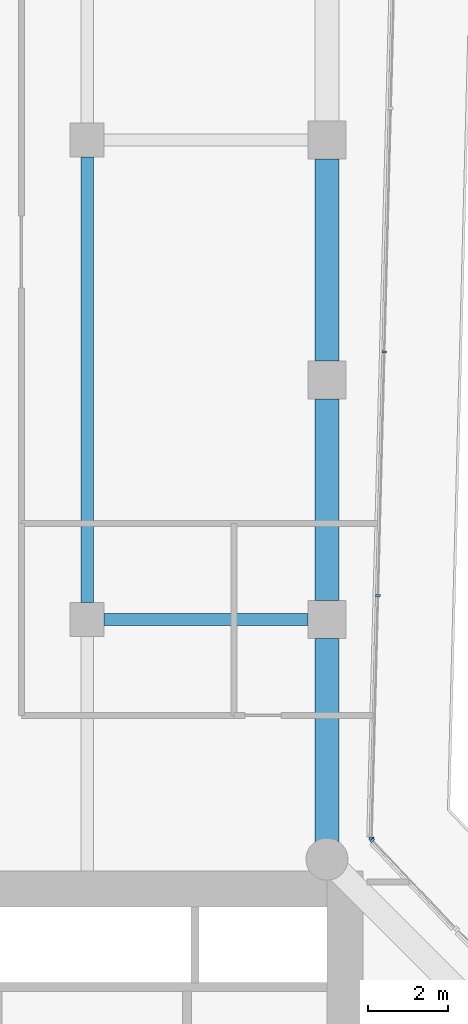
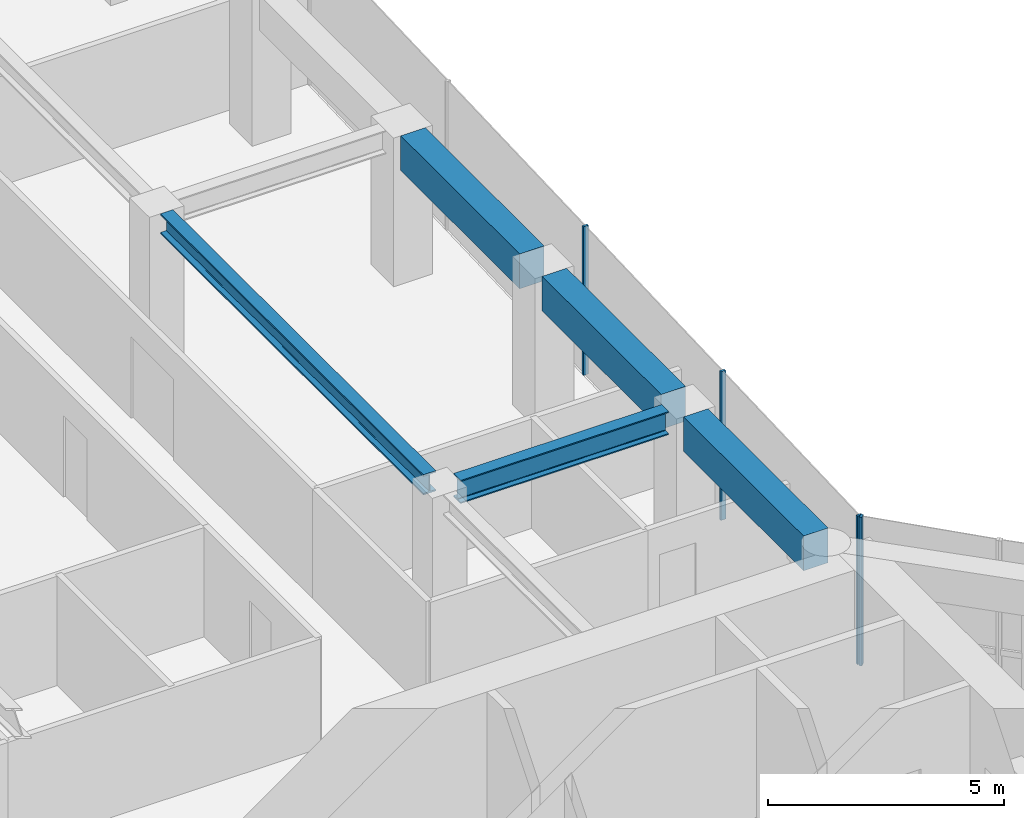
# One storey, part 14 of 28: 5 beams, 4 members, 2 elements without a shape of their own.
"""IFC4 building model written with IfcOpenShell, lengths in metres."""

import ifcopenshell
import ifcopenshell.guid

model = None  # the IFC model being written
_history = None  # IfcOwnerHistory: only IFC2X3 demands one
_inside = {}  # id of a spatial element -> (the spatial element, [elements in it])
_under = {}  # id of a project, library or spatial element -> (it, [spatial elements below it])
_declared = {}  # id of a project -> (the project, [libraries it declares])
_typed = {}  # id of a type object -> (the type object, [elements of that type])
_made_of = {}  # id of a material, layer set ... -> (it, [elements and type objects made of it])


def new_model(schema):
    """Start an empty IFC model of exactly this schema.

    Asked for "IFC4X3", IfcOpenShell would pick the latest addendum, in which some entities
    have other attributes; the version numbers below select the first issue.
    IFC2X3 requires an IfcOwnerHistory on every rooted entity: one is made here for all.
    """
    global model, _history
    if schema == "IFC4X3":
        model = ifcopenshell.file(schema_version=(4, 3, 0, 0))
    else:
        model = ifcopenshell.file(schema=schema)
    _inside.clear()
    _under.clear()
    _declared.clear()
    _typed.clear()
    _made_of.clear()
    _history = None
    if model.schema == "IFC2X3":
        org = make("IfcOrganization", Name="unknown")
        user = make(
            "IfcPersonAndOrganization",
            ThePerson=make("IfcPerson", FamilyName="unknown"),
            TheOrganization=org,
        )
        app = make(
            "IfcApplication",
            ApplicationDeveloper=org,
            Version="unknown",
            ApplicationFullName="unknown",
            ApplicationIdentifier="unknown",
        )
        _history = make(
            "IfcOwnerHistory",
            OwningUser=user,
            OwningApplication=app,
            ChangeAction="ADDED",
            CreationDate=0,
        )
    return model


def make(cls, **values):
    """One entity of the class cls with the attributes given. An attribute that is None is left unset."""
    return model.create_entity(
        cls, **{name: value for name, value in values.items() if value is not None}
    )


def rooted(cls, **values):
    """An entity with a GlobalId (a new one), such as an element, a storey or a relation."""
    return make(cls, GlobalId=ifcopenshell.guid.new(), OwnerHistory=_history, **values)


def si_unit(unit_type, name, prefix=None):
    """IfcSIUnit, for example si_unit("LENGTHUNIT", "METRE", prefix="MILLI")."""
    return make("IfcSIUnit", UnitType=unit_type, Prefix=prefix, Name=name)


def assignment(units):
    """IfcUnitAssignment: the units of a project."""
    return None if units is None else make("IfcUnitAssignment", Units=units)


def point(xyz):
    """IfcCartesianPoint."""
    return None if xyz is None else make("IfcCartesianPoint", Coordinates=xyz)


def direction(xyz):
    """IfcDirection."""
    return None if xyz is None else make("IfcDirection", DirectionRatios=xyz)


def frame(location, z_axis=None, x_axis=None):
    """IfcAxis2Placement3D, a coordinate frame: its origin and axes. An axis left out is left unset."""
    return make(
        "IfcAxis2Placement3D",
        Location=point(location),
        Axis=direction(z_axis),
        RefDirection=direction(x_axis),
    )


def frame_2d(location, x_axis=None):
    """IfcAxis2Placement2D, a coordinate frame in the plane: its origin and x axis."""
    return make(
        "IfcAxis2Placement2D", Location=point(location), RefDirection=direction(x_axis)
    )


def origin():
    """The frame at (0, 0, 0) with its axes left unset."""
    return frame((0.0, 0.0, 0.0))


def origin_2d():
    """The frame at (0, 0) in the plane with its x axis left unset."""
    return frame_2d((0.0, 0.0))


def place(relative_to, where):
    """IfcLocalPlacement: puts the frame where relative to a parent placement (None: the world)."""
    return make(
        "IfcLocalPlacement", PlacementRelTo=relative_to, RelativePlacement=where
    )


def context(
    kind, dimensions, precision=None, world=None, true_north=None, identifier=None
):
    """IfcGeometricRepresentationContext, for example the 3D "Model" context."""
    return make(
        "IfcGeometricRepresentationContext",
        ContextIdentifier=identifier,
        ContextType=kind,
        CoordinateSpaceDimension=dimensions,
        Precision=precision,
        WorldCoordinateSystem=world,
        TrueNorth=true_north,
    )


def subcontext(parent, identifier, kind, view, scale=None):
    """IfcGeometricRepresentationSubContext, for example "Body" below "Model"."""
    return make(
        "IfcGeometricRepresentationSubContext",
        ContextIdentifier=identifier,
        ContextType=kind,
        ParentContext=parent,
        TargetScale=scale,
        TargetView=view,
    )


def project(units=None, contexts=None):
    """IfcProject with its units and contexts."""
    return rooted(
        "IfcProject",
        Name="project",
        RepresentationContexts=contexts,
        UnitsInContext=assignment(units),
    )


def spatial(cls, under=None, at=None, **own):
    """A site, building, storey or space (cls), placed at a placement, below another one or the project."""
    s = rooted(cls, ObjectPlacement=at, **own)
    if under is not None:
        _under.setdefault(under.id(), (under, []))[1].append(s)
    return s


def profile(cls, at=None, kind="AREA", **sizes):
    """A parametric profile (cls). Its sizes go by their IFC names, for example OverallWidth=200.0."""
    return make(cls, ProfileType=kind, Position=at, **sizes)


def rectangle(**sizes):
    """IfcRectangleProfileDef."""
    return profile("IfcRectangleProfileDef", **sizes)


def i_section(**sizes):
    """IfcIShapeProfileDef."""
    return profile("IfcIShapeProfileDef", **sizes)


def extrude(swept, where, along, depth):
    """IfcExtrudedAreaSolid: the profile swept, set in the frame where, extruded along a direction by depth."""
    return make(
        "IfcExtrudedAreaSolid",
        SweptArea=swept,
        Position=where,
        ExtrudedDirection=direction(along),
        Depth=depth,
    )


def shape(context_of_items, identifier, shape_type, items):
    """IfcShapeRepresentation: the items that make up one representation, for example the "Body"."""
    return make(
        "IfcShapeRepresentation",
        ContextOfItems=context_of_items,
        RepresentationIdentifier=identifier,
        RepresentationType=shape_type,
        Items=items,
    )


def material(Name=None, Category=None):
    """IfcMaterial."""
    return make("IfcMaterial", Name=Name, Category=Category)


def layer(
    of_material, thickness, ventilated=None, Name=None, Category=None, Priority=None
):
    """IfcMaterialLayer: one layer of a wall or slab, of a material (None: an air gap)."""
    return make(
        "IfcMaterialLayer",
        Material=of_material,
        LayerThickness=thickness,
        IsVentilated=ventilated,
        Name=Name,
        Category=Category,
        Priority=Priority,
    )


def layer_set(layers, Name=None):
    """IfcMaterialLayerSet."""
    return make("IfcMaterialLayerSet", MaterialLayers=layers, LayerSetName=Name)


def material_profile(
    of_material, cross_section, Name=None, Category=None, Priority=None
):
    """IfcMaterialProfile: a cross section and its material."""
    return make(
        "IfcMaterialProfile",
        Name=Name,
        Material=of_material,
        Profile=cross_section,
        Priority=Priority,
        Category=Category,
    )


def profile_set(profiles, Name=None, composite=None):
    """IfcMaterialProfileSet."""
    return make(
        "IfcMaterialProfileSet",
        Name=Name,
        MaterialProfiles=profiles,
        CompositeProfile=composite,
    )


def made_of(thing, what):
    """Note that an element or type object is made of a material, layer set ...; save() writes the relation."""
    if what is not None:
        _made_of.setdefault(what.id(), (what, []))[1].append(thing)
    return thing


def type_object(cls, material=None, **own):
    """A type object (cls), such as IfcWallType, which elements share."""
    return made_of(rooted(cls, **own), material)


def element(
    cls,
    number,
    at=None,
    inside=None,
    cuts=None,
    type_object=None,
    material=None,
    context=None,
    identifier="Body",
    shape_type=None,
    held_by="IfcProductDefinitionShape",
    body=None,
    shapes=None,
    **own,
):
    """One element of the class cls, such as IfcWall. Its Tag is "e" and its number.

    at: its placement. inside: the storey or other place that contains it. cuts: it is an
    opening in that element (IfcRelVoidsElement). A single representation is given by context,
    identifier, shape_type and body (its items); several are given by shapes. held_by: the class
    of the entity that holds the representations. save() writes the other relations.
    """
    e = rooted(cls, Tag="e%d" % number, ObjectPlacement=at, **own)
    if body is not None:
        shapes = [shape(context, identifier, shape_type, body)]
    if shapes is not None:
        e.Representation = make(held_by, Representations=shapes)
    if inside is not None:
        _inside.setdefault(inside.id(), (inside, []))[1].append(e)
    if cuts is not None:
        rooted(
            "IfcRelVoidsElement", RelatingBuildingElement=cuts, RelatedOpeningElement=e
        )
    if type_object is not None:
        _typed.setdefault(type_object.id(), (type_object, []))[1].append(e)
    return made_of(e, material)


def aggregate(whole, parts):
    """IfcRelAggregates: a whole, such as a stair, and the parts it consists of."""
    return rooted("IfcRelAggregates", RelatingObject=whole, RelatedObjects=parts)


def save(model, path):
    """Write the relations noted so far, then the file.

    IfcRelAggregates (storeys below a building ...), IfcRelContainedInSpatialStructure (elements
    in a storey), IfcRelDefinesByType, IfcRelAssociatesMaterial and IfcRelDeclares: one each for
    every whole, place, type object, material and project.
    """
    for whole, parts in _under.values():
        aggregate(whole, parts)
    for where, things in _inside.values():
        rooted(
            "IfcRelContainedInSpatialStructure",
            RelatedElements=things,
            RelatingStructure=where,
        )
    for kind, things in _typed.values():
        rooted("IfcRelDefinesByType", RelatedObjects=things, RelatingType=kind)
    for what, things in _made_of.values():
        rooted("IfcRelAssociatesMaterial", RelatedObjects=things, RelatingMaterial=what)
    for by, libraries in _declared.values():
        rooted("IfcRelDeclares", RelatingContext=by, RelatedDefinitions=libraries)
    model.write(path)


model = new_model("IFC4")

# Units and contexts
model_context = context("Model", 3, precision=1e-05, world=origin(), true_north=direction((0.0, 1.0)))
body_context = subcontext(model_context, "Body", "Model", "MODEL_VIEW")
ifc_project = project(units=[si_unit("LENGTHUNIT", "METRE"), si_unit("AREAUNIT", "SQUARE_METRE"), si_unit("VOLUMEUNIT", "CUBIC_METRE"), si_unit("PLANEANGLEUNIT", "RADIAN"), si_unit("MASSUNIT", "GRAM", prefix="KILO")], contexts=[model_context])

# Site, building, storey
site_placement = place(None, origin())
site = spatial("IfcSite", under=ifc_project, at=site_placement, CompositionType="ELEMENT")
building_placement = place(site_placement, origin())
building = spatial("IfcBuilding", under=site, at=building_placement, Name="Welwitschia Terrace Campus", CompositionType="ELEMENT")
storey_placement = place(building_placement, frame((0.0, 0.0, 45.800048828125)))
storey = spatial("IfcBuildingStorey", under=building, at=storey_placement, Name="L10", CompositionType="ELEMENT", Elevation=45.800048828125)

# Beam
ifc_material_1 = material(Name="Steel S355", Category="steel")
ifc_material_profile_1 = material_profile(ifc_material_1, i_section(OverallWidth=0.305908203125, OverallDepth=0.52392578125, WebThickness=0.02099609375, FlangeThickness=0.0400390625, FilletRadius=0.027099609375, at=origin_2d()))
ifc_profile_set_1 = profile_set([ifc_material_profile_1], Name="Steel S355")
beam_type_1 = type_object("IfcBeamType", Name="Interior girder HE 500 M", PredefinedType="BEAM", material=ifc_profile_set_1)
beam_1_placement = place(storey_placement, frame((18.0, 32.425537109375, 3.587890625), z_axis=(0.0, 1.0, 0.0), x_axis=(-1.0, 0.0, 0.0)))
element("IfcBeam", 1, at=beam_1_placement, inside=storey, type_object=beam_type_1, Name="Girder GB2", PredefinedType="BEAM", context=body_context, shape_type="SweptSolid", body=[
    extrude(i_section(OverallWidth=0.305908203125, OverallDepth=0.52392578125, WebThickness=0.02099609375, FlangeThickness=0.0400390625, FilletRadius=0.027099609375, at=origin_2d()), origin(), (0.0, 0.0, 1.0), 11.14892578125),
])

# Curtain wall, member
ifc_material_2 = material(Name="Bronze anodised aluminium", Category="aluminium")
ifc_layer = layer(ifc_material_2, 0.1201171875)
ifc_layer_set = layer_set([ifc_layer], Name="Bronze anodised aluminium")
curtain_wall_type = type_object("IfcCurtainWallType", Name="Curtain wall CW2 tower 6000", PredefinedType="NOTDEFINED", material=ifc_layer_set)
curtain_wall_1_placement = place(storey_placement, origin())
curtain_wall_1 = element("IfcCurtainWall", 2, at=curtain_wall_1_placement, inside=storey, type_object=curtain_wall_type, Name="CW L10.8.0", PredefinedType="NOTDEFINED")
ifc_material_3 = material(Name="Bronze anodised aluminium", Category="aluminium")
ifc_material_profile_2 = material_profile(ifc_material_3, rectangle(XDim=0.1201171875, YDim=0.06005859375, at=origin_2d()))
ifc_profile_set_2 = profile_set([ifc_material_profile_2], Name="Bronze anodised aluminium")
member_type = type_object("IfcMemberType", Name="Mullion 60x120", PredefinedType="MULLION", material=ifc_profile_set_2)
member_1_placement = place(storey_placement, frame((25.1357421875, 26.4736328125, 0.0), z_axis=(0.0, 0.0, 1.0), x_axis=(-0.725374371012, -0.688354575694, 0.0)))
member_1 = element("IfcMember", 3, at=member_1_placement, type_object=member_type, Name="Mullion L10.8.0.1", PredefinedType="MULLION", context=body_context, shape_type="SweptSolid", body=[
    extrude(rectangle(XDim=0.1201171875, YDim=0.06005859375, at=origin_2d()), origin(), (0.0, 0.0, 1.0), 3.849853515625),
])
aggregate(curtain_wall_1, [member_1])

# Curtain wall, members
curtain_wall_2_placement = place(storey_placement, origin())
curtain_wall_2 = element("IfcCurtainWall", 4, at=curtain_wall_2_placement, inside=storey, type_object=curtain_wall_type, Name="CW L10.9.0", PredefinedType="NOTDEFINED")
member_2_placement = place(storey_placement, frame((25.115966796875, 26.525390625, 0.0), z_axis=(0.0, 0.0, 1.0), x_axis=(-0.999657324976, 0.026176948308, 0.0)))
member_2 = element("IfcMember", 5, at=member_2_placement, type_object=member_type, Name="Mullion L10.9.0.0", PredefinedType="MULLION", context=body_context, shape_type="SweptSolid", body=[
    extrude(rectangle(XDim=0.1201171875, YDim=0.06005859375, at=origin_2d()), origin(), (0.0, 0.0, 1.0), 3.849853515625),
])
member_3_placement = place(storey_placement, frame((25.27490234375, 32.5966796875, 0.0), z_axis=(0.0, 0.0, 1.0), x_axis=(-0.999657324976, 0.026176948308, 0.0)))
member_3 = element("IfcMember", 6, at=member_3_placement, type_object=member_type, Name="Mullion L10.9.0.1", PredefinedType="MULLION", context=body_context, shape_type="SweptSolid", body=[
    extrude(rectangle(XDim=0.1201171875, YDim=0.06005859375, at=origin_2d()), origin(), (0.0, 0.0, 1.0), 3.849853515625),
])
member_4_placement = place(storey_placement, frame((25.4345703125, 38.69775390625, 0.0), z_axis=(0.0, 0.0, 1.0), x_axis=(-0.999657324976, 0.026176948308, 0.0)))
member_4 = element("IfcMember", 7, at=member_4_placement, type_object=member_type, Name="Mullion L10.9.0.2", PredefinedType="MULLION", context=body_context, shape_type="SweptSolid", body=[
    extrude(rectangle(XDim=0.1201171875, YDim=0.06005859375, at=origin_2d()), origin(), (0.0, 0.0, 1.0), 3.849853515625),
])
aggregate(curtain_wall_2, [member_2, member_3, member_4])

# Beams
ifc_material_4 = material(Name="Steel S355", Category="steel")
ifc_material_profile_3 = material_profile(ifc_material_4, i_section(OverallWidth=0.300048828125, OverallDepth=0.60009765625, WebThickness=0.015380859375, FlangeThickness=0.030029296875, FilletRadius=0.027099609375, at=origin_2d()))
ifc_profile_set_3 = profile_set([ifc_material_profile_3], Name="Steel S355")
beam_type_2 = type_object("IfcBeamType", Name="Primary beam HE 600 B", PredefinedType="BEAM", material=ifc_profile_set_3)
beam_2_placement = place(storey_placement, frame((23.5244140625, 32.0, 3.550048828125), z_axis=(-1.0, 0.0, 0.0), x_axis=(0.0, -1.0, 0.0)))
element("IfcBeam", 8, at=beam_2_placement, inside=storey, type_object=beam_type_2, Name="Primary beam PB2", PredefinedType="BEAM", context=body_context, shape_type="SweptSolid", body=[
    extrude(i_section(OverallWidth=0.300048828125, OverallDepth=0.60009765625, WebThickness=0.015380859375, FlangeThickness=0.030029296875, FilletRadius=0.027099609375, at=origin_2d()), origin(), (0.0, 0.0, 1.0), 5.098876953125),
])
ifc_material_5 = material(Name="Concrete C60/75", Category="concrete")
ifc_material_profile_4 = material_profile(ifc_material_5, rectangle(XDim=0.60009765625, YDim=0.89990234375, at=origin_2d()))
ifc_profile_set_4 = profile_set([ifc_material_profile_4], Name="Concrete C60/75")
beam_type_3 = type_object("IfcBeamType", Name="Ring spandrel 600x900", PredefinedType="SPANDREL", material=ifc_profile_set_4)
beam_3_placement = place(storey_placement, frame((24.0, 26.431396484375, 3.39990234375), z_axis=(0.0, 1.0, 0.0), x_axis=(-1.0, 0.0, 0.0)))
element("IfcBeam", 9, at=beam_3_placement, inside=storey, type_object=beam_type_3, Name="Spandrel SP2", PredefinedType="SPANDREL", context=body_context, shape_type="SweptSolid", body=[
    extrude(rectangle(XDim=0.60009765625, YDim=0.89990234375, at=origin_2d()), origin(), (0.0, 0.0, 1.0), 5.093017578125),
])
for number, where, z_axis, x_axis, name in (
    (10, (24.0, 32.4755859375, 3.39990234375), (0.0, 1.0, 0.0), (-1.0, 0.0, 0.0), "Spandrel SP2"),
    (11, (24.0, 38.4755859375, 3.39990234375), (0.0, 1.0, 0.0), (-1.0, 0.0, 0.0), "Spandrel SP2"),
):
    element("IfcBeam", number, at=place(storey_placement, frame(where, z_axis=z_axis, x_axis=x_axis)), inside=storey, type_object=beam_type_3, Name=name, PredefinedType="SPANDREL", context=body_context, shape_type="SweptSolid", body=[
        extrude(rectangle(XDim=0.60009765625, YDim=0.89990234375, at=origin_2d()), origin(), (0.0, 0.0, 1.0), 5.048828125),
    ])

save(model, "model.ifc")
